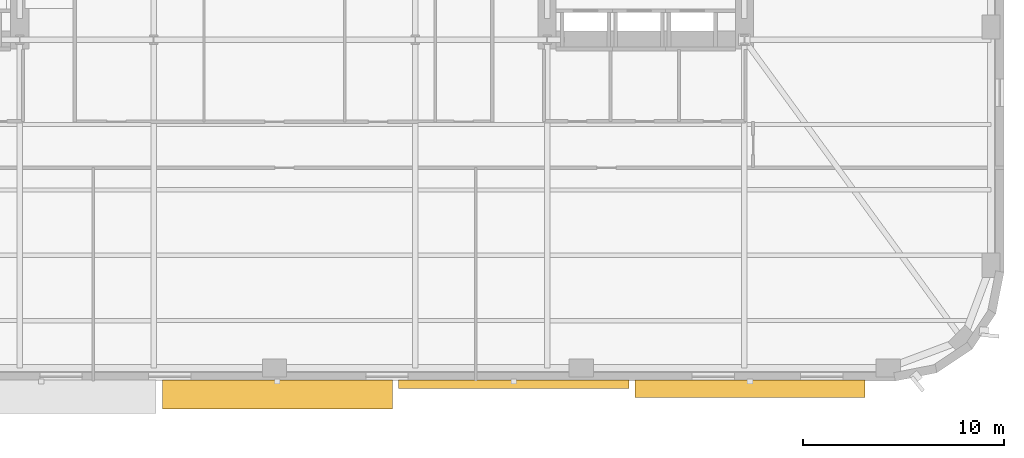
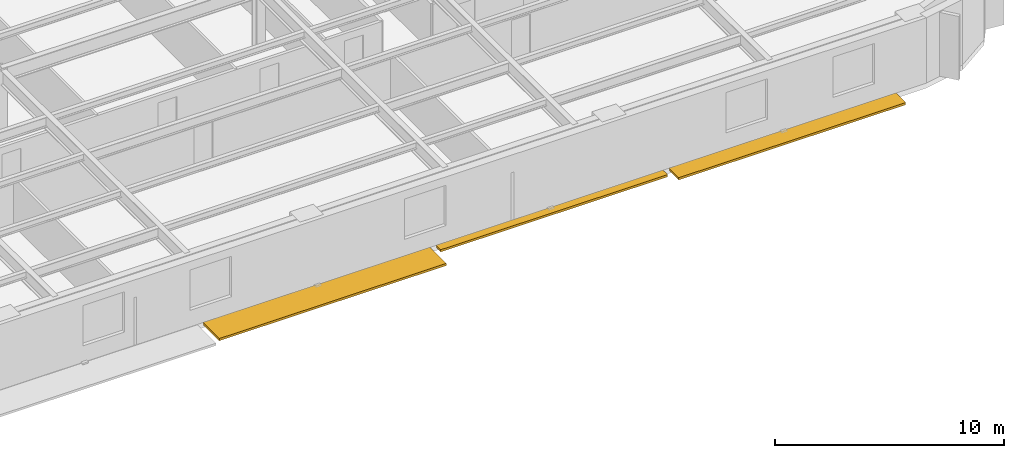
# One storey, part 11 of 15: 3 shading devices.
"""IFC4 building model written with IfcOpenShell, lengths in metres."""

from ifc_helpers import new_model, si_unit, direction, frame, origin, origin_2d, place, context, subcontext, project, spatial, rectangle, extrude, material, type_object, element, save


model = new_model("IFC4")

# Units and contexts
model_context = context("Model", 3, precision=1e-05, world=origin(), true_north=direction((0.0, 1.0)))
body_context = subcontext(model_context, "Body", "Model", "MODEL_VIEW")
ifc_project = project(units=[si_unit("LENGTHUNIT", "METRE"), si_unit("AREAUNIT", "SQUARE_METRE"), si_unit("VOLUMEUNIT", "CUBIC_METRE"), si_unit("PLANEANGLEUNIT", "RADIAN"), si_unit("MASSUNIT", "GRAM", prefix="KILO")], contexts=[model_context])

# Site, building, storey
site_placement = place(None, origin())
site = spatial("IfcSite", under=ifc_project, at=site_placement, CompositionType="ELEMENT")
building_placement = place(site_placement, origin())
building = spatial("IfcBuilding", under=site, at=building_placement, Name="Kolvaren Arena Tower", CompositionType="ELEMENT")
storey_placement = place(building_placement, frame((0.0, 0.0, 60.75)))
storey = spatial("IfcBuildingStorey", under=building, at=storey_placement, Name="L12", CompositionType="ELEMENT", Elevation=60.75)

# Shading devices
ifc_material = material(Name="Architectural precast GFRC and anodised aluminium sunshade", Category="concrete")
shading_device_type_1 = type_object("IfcShadingDeviceType", Name="SHAD-SINE-A", PredefinedType="USERDEFINED", material=ifc_material)
shading_device_1_placement = place(storey_placement, frame((60.6298828125, 2.121826171875, -0.14013671875), z_axis=(0.0, 0.0, 1.0), x_axis=(-1.0, 0.0, 0.0)))
element("IfcShadingDevice", 1, at=shading_device_1_placement, inside=storey, type_object=shading_device_type_1, Name="Sinusoidal Slab-Edge Sunshade Louvre (L12)", ObjectType="LOUVRE", PredefinedType="USERDEFINED", context=body_context, shape_type="SweptSolid", body=[
    extrude(rectangle(XDim=11.43994140625, YDim=0.8564453125, at=origin_2d()), origin(), (0.0, 0.0, 1.0), 0.1201171875),
])
shading_device_2_placement = place(storey_placement, frame((48.889892578125, 2.34521484375, -0.14013671875), z_axis=(0.0, 0.0, 1.0), x_axis=(-1.0, 0.0, 0.0)))
element("IfcShadingDevice", 2, at=shading_device_2_placement, inside=storey, type_object=shading_device_type_1, Name="Sinusoidal Slab-Edge Sunshade Louvre (L12)", ObjectType="LOUVRE", PredefinedType="USERDEFINED", context=body_context, shape_type="SweptSolid", body=[
    extrude(rectangle(XDim=11.43994140625, YDim=0.40966796875, at=origin_2d()), origin(), (0.0, 0.0, 1.0), 0.1201171875),
])
shading_device_type_2 = type_object("IfcShadingDeviceType", Name="SHAD-SINE-B", PredefinedType="JALOUSIE", material=ifc_material)
shading_device_3_placement = place(storey_placement, frame((37.14990234375, 1.83544921875, -0.14013671875), z_axis=(0.0, 0.0, 1.0), x_axis=(-1.0, 0.0, 0.0)))
element("IfcShadingDevice", 3, at=shading_device_3_placement, inside=storey, type_object=shading_device_type_2, Name="Sinusoidal Slab-Edge Sunshade Louvre (L12)", PredefinedType="JALOUSIE", context=body_context, shape_type="SweptSolid", body=[
    extrude(rectangle(XDim=11.43994140625, YDim=1.42919921875, at=origin_2d()), origin(), (0.0, 0.0, 1.0), 0.1201171875),
])

save(model, "model.ifc")
